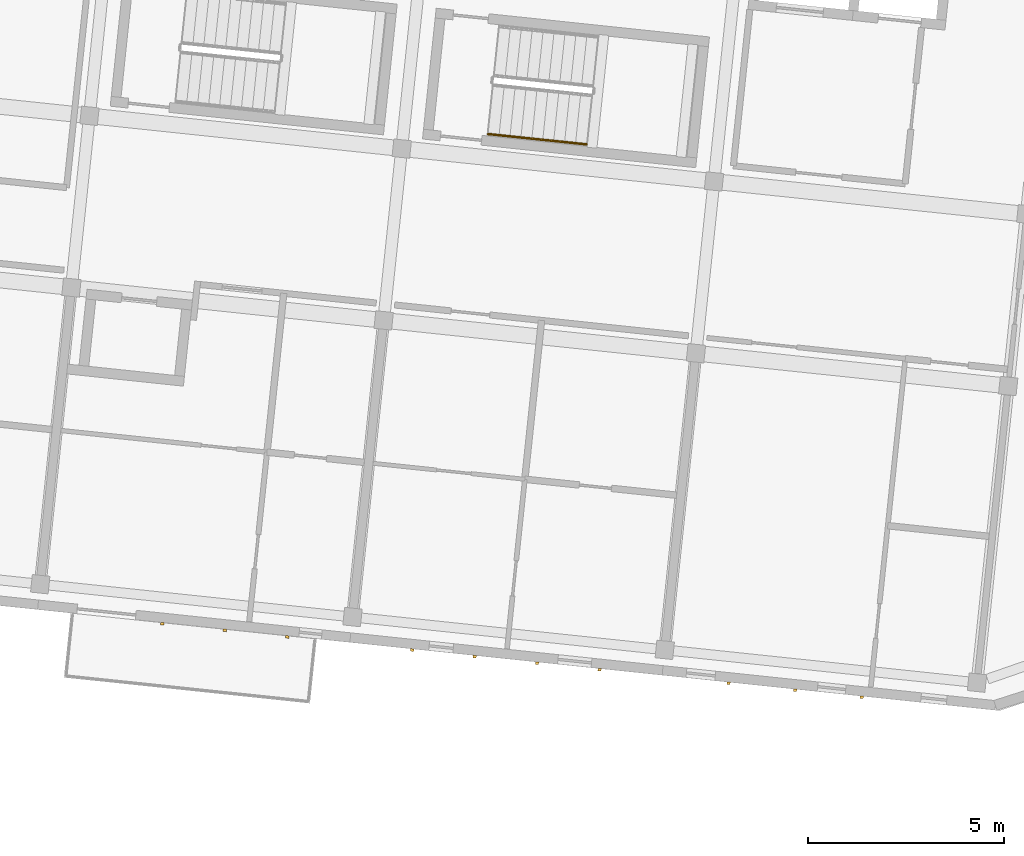
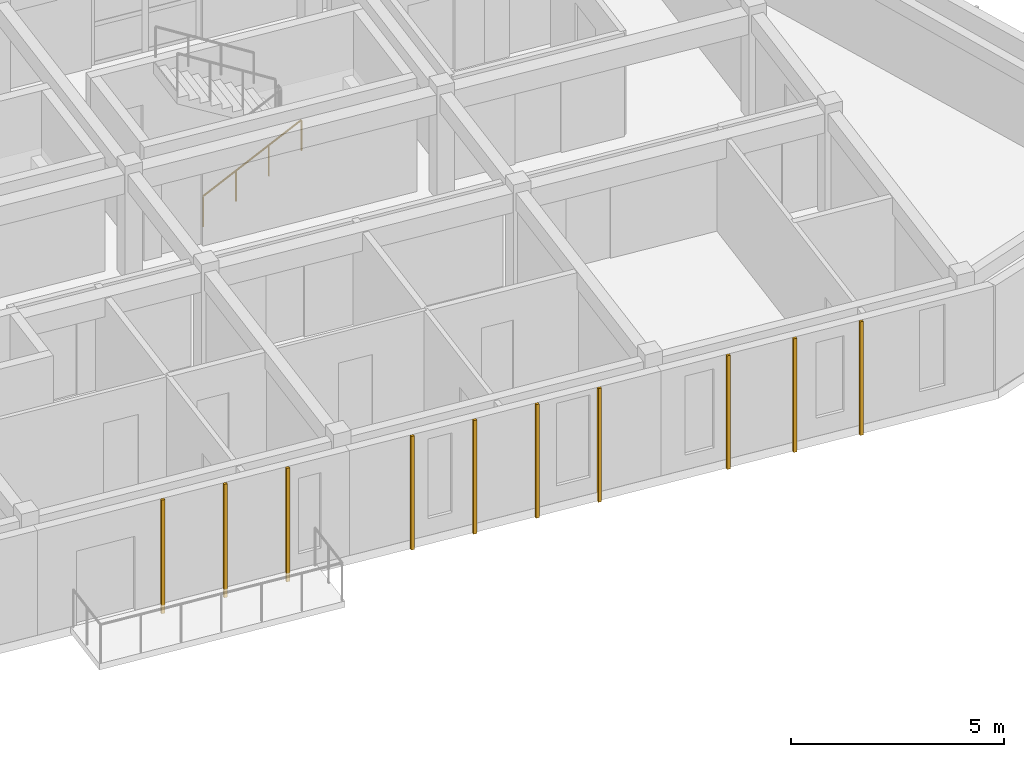
# One storey, part 42 of 45: 10 coverings, 1 railing.
"""IFC4 building model written with IfcOpenShell, lengths in metres."""

from ifc_helpers import new_model, si_unit, direction, frame, origin, origin_2d, place, context, subcontext, project, spatial, rectangle, circle, extrude, material, layer, layer_set, type_object, element, save


model = new_model("IFC4")

# Units and contexts
model_context = context("Model", 3, precision=1e-05, world=origin(), true_north=direction((0.0, 1.0)))
body_context = subcontext(model_context, "Body", "Model", "MODEL_VIEW")
ifc_project = project(units=[si_unit("LENGTHUNIT", "METRE"), si_unit("AREAUNIT", "SQUARE_METRE"), si_unit("VOLUMEUNIT", "CUBIC_METRE"), si_unit("PLANEANGLEUNIT", "RADIAN"), si_unit("MASSUNIT", "GRAM", prefix="KILO")], contexts=[model_context])

# Site, building, storey
site_placement = place(None, origin())
site = spatial("IfcSite", under=ifc_project, at=site_placement, CompositionType="ELEMENT")
building_placement = place(site_placement, origin())
building = spatial("IfcBuilding", under=site, at=building_placement, Name="Kestramere Prow Commons", CompositionType="ELEMENT")
storey_placement = place(building_placement, frame((0.0, 0.0, 31.14990234375)))
storey = spatial("IfcBuildingStorey", under=building, at=storey_placement, Name="L09", CompositionType="ELEMENT", Elevation=31.14990234375)

# Coverings
ifc_material_1 = material(Name="Weathered Zinc-Titanium Standing-Seam Cladding")
ifc_layer = layer(ifc_material_1, 0.074951171875)
ifc_layer_set = layer_set([ifc_layer], Name="Weathered Zinc-Titanium Standing-Seam Cladding")
covering_type = type_object("IfcCoveringType", Name="COV-CLAD-SEAM", PredefinedType="CLADDING", material=ifc_layer_set)
for number, where, z_axis, x_axis, name in (
    (1, (140.16259765625, 90.948486328125, -0.25), (0.0, 0.0, 1.0), (-0.994521895368, 0.104528463268, 0.0), "EW-B-L09-S-3 Standing-Seam Rib 1"),
    (2, (138.5712890625, 91.11572265625, -0.25), (0.0, 0.0, 1.0), (-0.994521895368, 0.104528463268, 0.0), "EW-B-L09-S-3 Standing-Seam Rib 2"),
    (3, (136.980224609375, 91.282958984375, -0.25), (0.0, 0.0, 1.0), (-0.994521895368, 0.104528463268, 0.0), "EW-B-L09-S-3 Standing-Seam Rib 3"),
    (4, (148.118896484375, 90.1123046875, -0.25), (0.0, 0.0, 1.0), (-0.994521895368, 0.104528463268, 0.0), "EW-B-L09-S-4 Standing-Seam Rib 1"),
    (5, (146.527587890625, 90.279541015625, -0.25), (0.0, 0.0, 1.0), (-0.994521895368, 0.104528463268, 0.0), "EW-B-L09-S-4 Standing-Seam Rib 2"),
    (6, (144.936279296875, 90.44677734375, -0.25), (0.0, 0.0, 1.0), (-0.994521895368, 0.104528463268, 0.0), "EW-B-L09-S-4 Standing-Seam Rib 3"),
    (7, (143.34521484375, 90.614013671875, -0.25), (0.0, 0.0, 1.0), (-0.994521895368, 0.104528463268, 0.0), "EW-B-L09-S-4 Standing-Seam Rib 4"),
    (8, (154.797119140625, 89.410400390625, -0.25), (0.0, 0.0, 1.0), (-0.994521895368, 0.104528463268, 0.0), "EW-B-L09-S-5 Standing-Seam Rib 2"),
    (9, (153.101318359375, 89.588623046875, -0.25), (0.0, 0.0, 1.0), (-0.994521895368, 0.104528463268, 0.0), "EW-B-L09-S-5 Standing-Seam Rib 3"),
    (10, (151.40576171875, 89.766845703125, -0.25), (0.0, 0.0, 1.0), (-0.994521895368, 0.104528463268, 0.0), "EW-B-L09-S-5 Standing-Seam Rib 4"),
):
    element("IfcCovering", number, at=place(storey_placement, frame(where, z_axis=z_axis, x_axis=x_axis)), inside=storey, type_object=covering_type, Name=name, PredefinedType="CLADDING", context=body_context, shape_type="SweptSolid", body=[
        extrude(rectangle(XDim=0.0849609375, YDim=0.06494140625, at=origin_2d()), origin(), (0.0, 0.0, 1.0), 3.25),
    ])

# Railing
ifc_material_2 = material(Name="Stainless Steel 304", Category="steel")
railing_type = type_object("IfcRailingType", Name="RL-ST-HR-900", PredefinedType="HANDRAIL", material=ifc_material_2)
railing_placement = place(storey_placement, frame((145.280029296875, 103.76123046875, 0.3251953125)))
element("IfcRailing", 11, at=railing_placement, inside=storey, type_object=railing_type, Name="L09 ST-B2 stair handrail 1", PredefinedType="HANDRAIL", context=body_context, shape_type="SweptSolid", body=[
    extrude(circle(Radius=0.02392578125, at=origin_2d()), frame((0.0, 0.0, 0.8759765625), z_axis=(0.860164962675, -0.090415781269, 0.501937469695), x_axis=(0.104538527394, 0.994520837534, 0.0)), (0.0, 0.0, 1.0), 2.91357421875),
    extrude(circle(Radius=0.02099609375, at=origin_2d()), origin(), (0.0, 0.0, 1.0), 0.851806640625),
    extrude(circle(Radius=0.02099609375, at=origin_2d()), frame((0.83544921875, -0.087890625, 0.487548828125)), (0.0, 0.0, 1.0), 0.851806640625),
    extrude(circle(Radius=0.02099609375, at=origin_2d()), frame((1.670654296875, -0.175537109375, 0.974853515625)), (0.0, 0.0, 1.0), 0.851806640625),
    extrude(circle(Radius=0.02099609375, at=origin_2d()), frame((2.506103515625, -0.263427734375, 1.46240234375)), (0.0, 0.0, 1.0), 0.851806640625),
])

save(model, "model.ifc")
